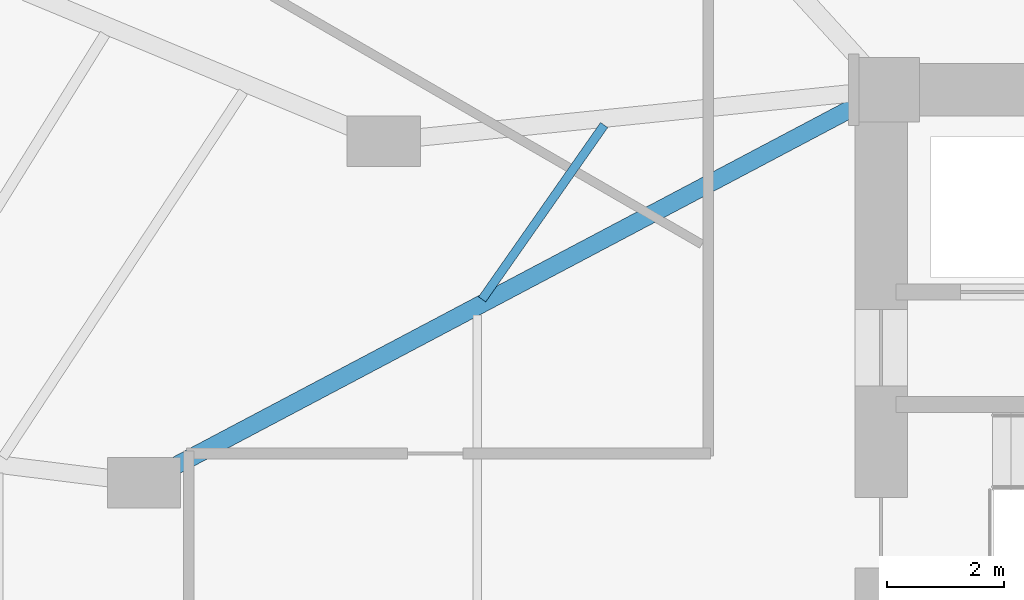
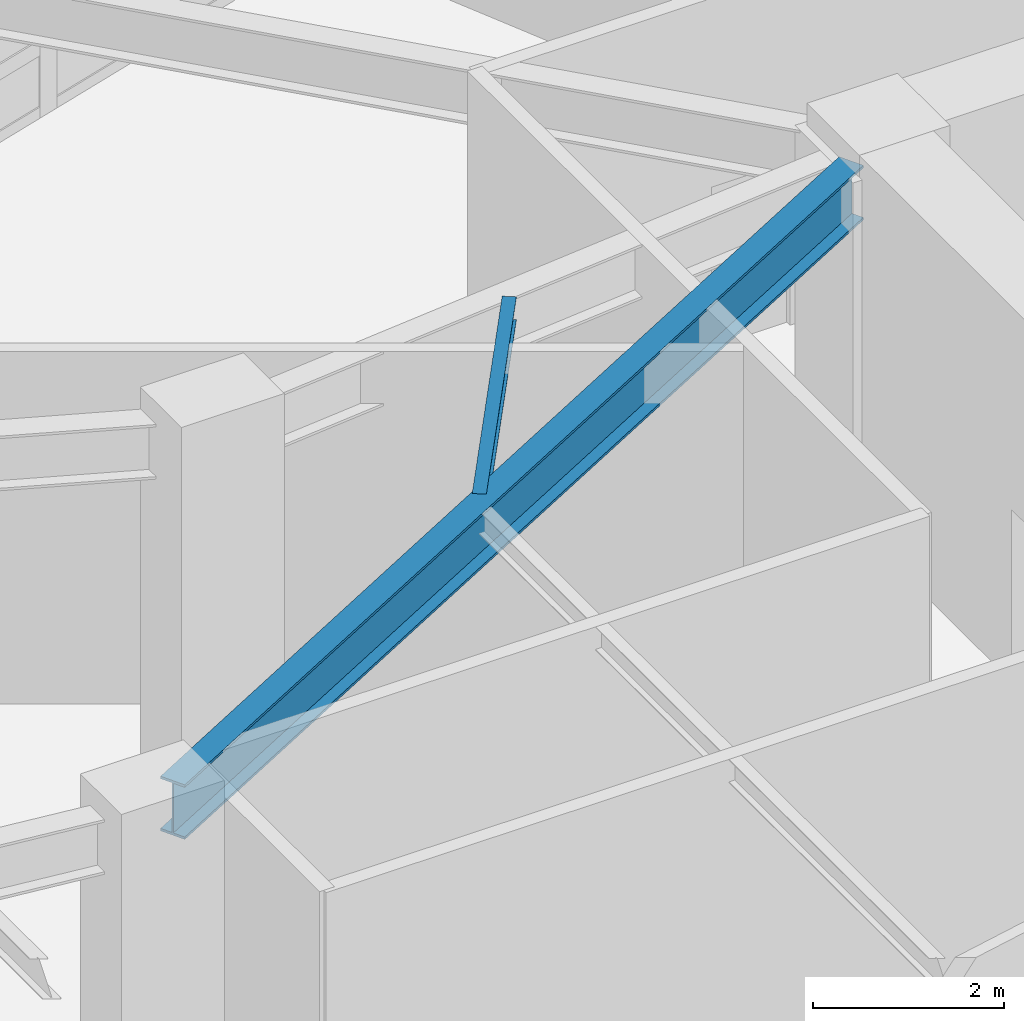
# One storey, part 9 of 24: 2 beams.
"""IFC4 building model written with IfcOpenShell, lengths in metres."""

from ifc_helpers import new_model, si_unit, direction, frame, origin, origin_2d, place, context, subcontext, project, spatial, i_section, extrude, material, material_profile, profile_set, type_object, element, save


model = new_model("IFC4")

# Units and contexts
model_context = context("Model", 3, precision=1e-05, world=origin(), true_north=direction((0.0, 1.0)))
body_context = subcontext(model_context, "Body", "Model", "MODEL_VIEW")
ifc_project = project(units=[si_unit("LENGTHUNIT", "METRE"), si_unit("AREAUNIT", "SQUARE_METRE"), si_unit("VOLUMEUNIT", "CUBIC_METRE"), si_unit("PLANEANGLEUNIT", "RADIAN"), si_unit("MASSUNIT", "GRAM", prefix="KILO")], contexts=[model_context])

# Site, building, storey
site_placement = place(None, origin())
site = spatial("IfcSite", under=ifc_project, at=site_placement, CompositionType="ELEMENT")
building_placement = place(site_placement, origin())
building = spatial("IfcBuilding", under=site, at=building_placement, Name="Lazwardi Medical Tower", CompositionType="ELEMENT")
storey_placement = place(building_placement, frame((0.0, 0.0, 10.800048828125)))
storey = spatial("IfcBuildingStorey", under=building, at=storey_placement, Name="L02", CompositionType="ELEMENT", Elevation=10.800048828125)

# Beams
ifc_material = material(Name="Steel S355", Category="steel")
ifc_material_profile_1 = material_profile(ifc_material, i_section(OverallWidth=0.300048828125, OverallDepth=0.699951171875, WebThickness=0.01708984375, FlangeThickness=0.031982421875, at=origin_2d()), Name="HEB 700")
ifc_profile_set_1 = profile_set([ifc_material_profile_1], Name="Steel S355")
beam_type_1 = type_object("IfcBeamType", Name="BM-RG-P1", PredefinedType="BEAM", material=ifc_profile_set_1)
beam_1_placement = place(storey_placement, frame((14.090576171875, 29.093017578125, 4.169921875), z_axis=(0.884073844977, 0.467347233466, 0.0), x_axis=(-0.467347233466, 0.884073844977, 0.0)))
element("IfcBeam", 1, at=beam_1_placement, inside=storey, type_object=beam_type_1, Name="Radial girder RG-01 R12B L02", PredefinedType="BEAM", context=body_context, shape_type="SweptSolid", body=[
    extrude(i_section(OverallWidth=0.300048828125, OverallDepth=0.699951171875, WebThickness=0.01708984375, FlangeThickness=0.031982421875, at=origin_2d()), origin(), (0.0, 0.0, 1.0), 13.388427734375),
])
ifc_material_profile_2 = material_profile(ifc_material, i_section(OverallWidth=0.14990234375, OverallDepth=0.300048828125, WebThickness=0.007080078125, FlangeThickness=0.0107421875, at=origin_2d()), Name="IPE 300")
ifc_profile_set_2 = profile_set([ifc_material_profile_2], Name="Steel S355")
beam_type_2 = type_object("IfcBeamType", Name="BM-SJ-03", PredefinedType="JOIST", material=ifc_profile_set_2)
beam_2_placement = place(storey_placement, frame((21.578857421875, 34.997314453125, 4.369873046875), z_axis=(-0.573439745267, -0.819247739422, 0.0), x_axis=(0.819247739422, -0.573439745267, 0.0)))
element("IfcBeam", 2, at=beam_2_placement, inside=storey, type_object=beam_type_2, Name="Secondary joist SJ-03 RI1 B11 L02", PredefinedType="JOIST", context=body_context, shape_type="SweptSolid", body=[
    extrude(i_section(OverallWidth=0.14990234375, OverallDepth=0.300048828125, WebThickness=0.007080078125, FlangeThickness=0.0107421875, at=origin_2d()), origin(), (0.0, 0.0, 1.0), 3.625244140625),
])

save(model, "model.ifc")
